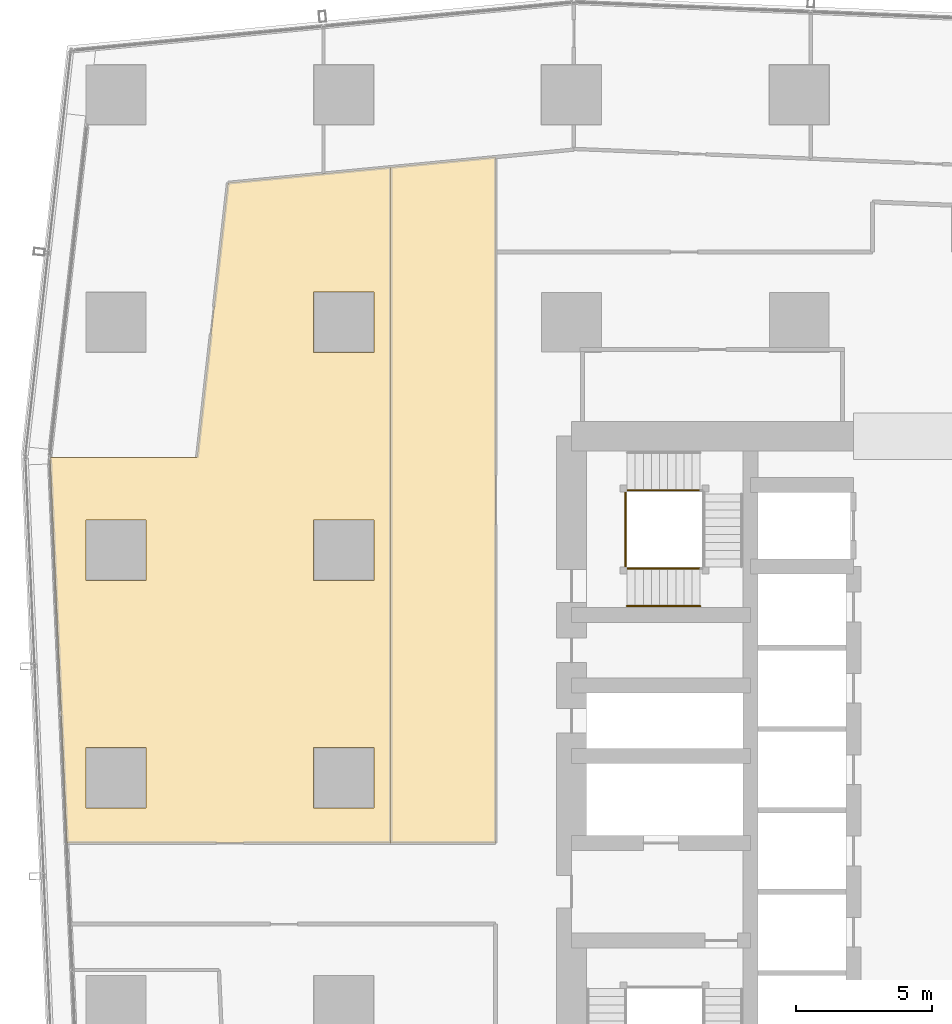
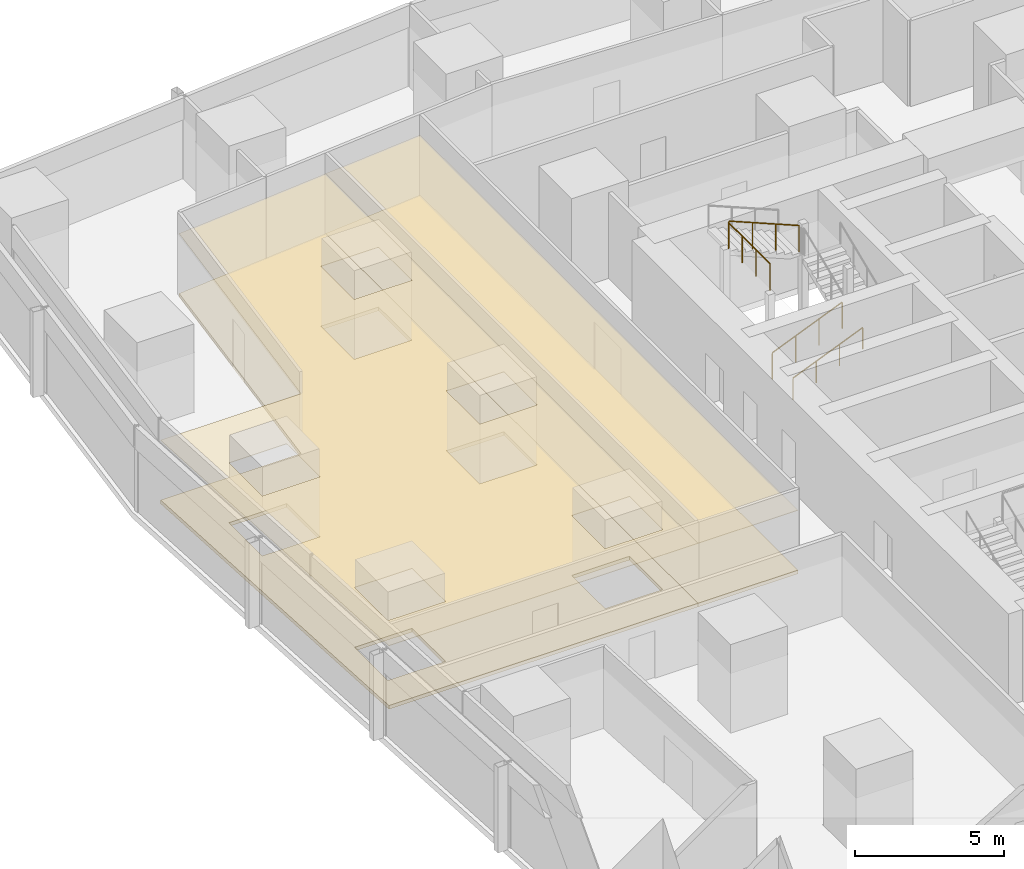
# One storey, part 40 of 44: 4 coverings, 4 railings.
"""IFC4 building model written with IfcOpenShell, lengths in metres."""

import ifcopenshell
import ifcopenshell.guid

model = None  # the IFC model being written
_history = None  # IfcOwnerHistory: only IFC2X3 demands one
_inside = {}  # id of a spatial element -> (the spatial element, [elements in it])
_under = {}  # id of a project, library or spatial element -> (it, [spatial elements below it])
_declared = {}  # id of a project -> (the project, [libraries it declares])
_typed = {}  # id of a type object -> (the type object, [elements of that type])
_made_of = {}  # id of a material, layer set ... -> (it, [elements and type objects made of it])


def new_model(schema):
    """Start an empty IFC model of exactly this schema.

    Asked for "IFC4X3", IfcOpenShell would pick the latest addendum, in which some entities
    have other attributes; the version numbers below select the first issue.
    IFC2X3 requires an IfcOwnerHistory on every rooted entity: one is made here for all.
    """
    global model, _history
    if schema == "IFC4X3":
        model = ifcopenshell.file(schema_version=(4, 3, 0, 0))
    else:
        model = ifcopenshell.file(schema=schema)
    _inside.clear()
    _under.clear()
    _declared.clear()
    _typed.clear()
    _made_of.clear()
    _history = None
    if model.schema == "IFC2X3":
        org = make("IfcOrganization", Name="unknown")
        user = make(
            "IfcPersonAndOrganization",
            ThePerson=make("IfcPerson", FamilyName="unknown"),
            TheOrganization=org,
        )
        app = make(
            "IfcApplication",
            ApplicationDeveloper=org,
            Version="unknown",
            ApplicationFullName="unknown",
            ApplicationIdentifier="unknown",
        )
        _history = make(
            "IfcOwnerHistory",
            OwningUser=user,
            OwningApplication=app,
            ChangeAction="ADDED",
            CreationDate=0,
        )
    return model


def make(cls, **values):
    """One entity of the class cls with the attributes given. An attribute that is None is left unset."""
    return model.create_entity(
        cls, **{name: value for name, value in values.items() if value is not None}
    )


def rooted(cls, **values):
    """An entity with a GlobalId (a new one), such as an element, a storey or a relation."""
    return make(cls, GlobalId=ifcopenshell.guid.new(), OwnerHistory=_history, **values)


def si_unit(unit_type, name, prefix=None):
    """IfcSIUnit, for example si_unit("LENGTHUNIT", "METRE", prefix="MILLI")."""
    return make("IfcSIUnit", UnitType=unit_type, Prefix=prefix, Name=name)


def assignment(units):
    """IfcUnitAssignment: the units of a project."""
    return None if units is None else make("IfcUnitAssignment", Units=units)


def point(xyz):
    """IfcCartesianPoint."""
    return None if xyz is None else make("IfcCartesianPoint", Coordinates=xyz)


def direction(xyz):
    """IfcDirection."""
    return None if xyz is None else make("IfcDirection", DirectionRatios=xyz)


def frame(location, z_axis=None, x_axis=None):
    """IfcAxis2Placement3D, a coordinate frame: its origin and axes. An axis left out is left unset."""
    return make(
        "IfcAxis2Placement3D",
        Location=point(location),
        Axis=direction(z_axis),
        RefDirection=direction(x_axis),
    )


def frame_2d(location, x_axis=None):
    """IfcAxis2Placement2D, a coordinate frame in the plane: its origin and x axis."""
    return make(
        "IfcAxis2Placement2D", Location=point(location), RefDirection=direction(x_axis)
    )


def origin():
    """The frame at (0, 0, 0) with its axes left unset."""
    return frame((0.0, 0.0, 0.0))


def origin_2d():
    """The frame at (0, 0) in the plane with its x axis left unset."""
    return frame_2d((0.0, 0.0))


def place(relative_to, where):
    """IfcLocalPlacement: puts the frame where relative to a parent placement (None: the world)."""
    return make(
        "IfcLocalPlacement", PlacementRelTo=relative_to, RelativePlacement=where
    )


def context(
    kind, dimensions, precision=None, world=None, true_north=None, identifier=None
):
    """IfcGeometricRepresentationContext, for example the 3D "Model" context."""
    return make(
        "IfcGeometricRepresentationContext",
        ContextIdentifier=identifier,
        ContextType=kind,
        CoordinateSpaceDimension=dimensions,
        Precision=precision,
        WorldCoordinateSystem=world,
        TrueNorth=true_north,
    )


def subcontext(parent, identifier, kind, view, scale=None):
    """IfcGeometricRepresentationSubContext, for example "Body" below "Model"."""
    return make(
        "IfcGeometricRepresentationSubContext",
        ContextIdentifier=identifier,
        ContextType=kind,
        ParentContext=parent,
        TargetScale=scale,
        TargetView=view,
    )


def project(units=None, contexts=None):
    """IfcProject with its units and contexts."""
    return rooted(
        "IfcProject",
        Name="project",
        RepresentationContexts=contexts,
        UnitsInContext=assignment(units),
    )


def spatial(cls, under=None, at=None, **own):
    """A site, building, storey or space (cls), placed at a placement, below another one or the project."""
    s = rooted(cls, ObjectPlacement=at, **own)
    if under is not None:
        _under.setdefault(under.id(), (under, []))[1].append(s)
    return s


def polyline(points):
    """IfcPolyline through the points."""
    return make("IfcPolyline", Points=[point(p) for p in points])


def profile(cls, at=None, kind="AREA", **sizes):
    """A parametric profile (cls). Its sizes go by their IFC names, for example OverallWidth=200.0."""
    return make(cls, ProfileType=kind, Position=at, **sizes)


def circle(**sizes):
    """IfcCircleProfileDef."""
    return profile("IfcCircleProfileDef", **sizes)


def outline(outer, holes=None, kind="AREA"):
    """IfcArbitraryClosedProfileDef: a profile drawn as a closed curve; with holes, ...WithVoids."""
    if holes is None:
        return make("IfcArbitraryClosedProfileDef", ProfileType=kind, OuterCurve=outer)
    return make(
        "IfcArbitraryProfileDefWithVoids",
        ProfileType=kind,
        OuterCurve=outer,
        InnerCurves=holes,
    )


def extrude(swept, where, along, depth):
    """IfcExtrudedAreaSolid: the profile swept, set in the frame where, extruded along a direction by depth."""
    return make(
        "IfcExtrudedAreaSolid",
        SweptArea=swept,
        Position=where,
        ExtrudedDirection=direction(along),
        Depth=depth,
    )


def shape(context_of_items, identifier, shape_type, items):
    """IfcShapeRepresentation: the items that make up one representation, for example the "Body"."""
    return make(
        "IfcShapeRepresentation",
        ContextOfItems=context_of_items,
        RepresentationIdentifier=identifier,
        RepresentationType=shape_type,
        Items=items,
    )


def material(Name=None, Category=None):
    """IfcMaterial."""
    return make("IfcMaterial", Name=Name, Category=Category)


def layer(
    of_material, thickness, ventilated=None, Name=None, Category=None, Priority=None
):
    """IfcMaterialLayer: one layer of a wall or slab, of a material (None: an air gap)."""
    return make(
        "IfcMaterialLayer",
        Material=of_material,
        LayerThickness=thickness,
        IsVentilated=ventilated,
        Name=Name,
        Category=Category,
        Priority=Priority,
    )


def layer_set(layers, Name=None):
    """IfcMaterialLayerSet."""
    return make("IfcMaterialLayerSet", MaterialLayers=layers, LayerSetName=Name)


def made_of(thing, what):
    """Note that an element or type object is made of a material, layer set ...; save() writes the relation."""
    if what is not None:
        _made_of.setdefault(what.id(), (what, []))[1].append(thing)
    return thing


def type_object(cls, material=None, **own):
    """A type object (cls), such as IfcWallType, which elements share."""
    return made_of(rooted(cls, **own), material)


def element(
    cls,
    number,
    at=None,
    inside=None,
    cuts=None,
    type_object=None,
    material=None,
    context=None,
    identifier="Body",
    shape_type=None,
    held_by="IfcProductDefinitionShape",
    body=None,
    shapes=None,
    **own,
):
    """One element of the class cls, such as IfcWall. Its Tag is "e" and its number.

    at: its placement. inside: the storey or other place that contains it. cuts: it is an
    opening in that element (IfcRelVoidsElement). A single representation is given by context,
    identifier, shape_type and body (its items); several are given by shapes. held_by: the class
    of the entity that holds the representations. save() writes the other relations.
    """
    e = rooted(cls, Tag="e%d" % number, ObjectPlacement=at, **own)
    if body is not None:
        shapes = [shape(context, identifier, shape_type, body)]
    if shapes is not None:
        e.Representation = make(held_by, Representations=shapes)
    if inside is not None:
        _inside.setdefault(inside.id(), (inside, []))[1].append(e)
    if cuts is not None:
        rooted(
            "IfcRelVoidsElement", RelatingBuildingElement=cuts, RelatedOpeningElement=e
        )
    if type_object is not None:
        _typed.setdefault(type_object.id(), (type_object, []))[1].append(e)
    return made_of(e, material)


def aggregate(whole, parts):
    """IfcRelAggregates: a whole, such as a stair, and the parts it consists of."""
    return rooted("IfcRelAggregates", RelatingObject=whole, RelatedObjects=parts)


def save(model, path):
    """Write the relations noted so far, then the file.

    IfcRelAggregates (storeys below a building ...), IfcRelContainedInSpatialStructure (elements
    in a storey), IfcRelDefinesByType, IfcRelAssociatesMaterial and IfcRelDeclares: one each for
    every whole, place, type object, material and project.
    """
    for whole, parts in _under.values():
        aggregate(whole, parts)
    for where, things in _inside.values():
        rooted(
            "IfcRelContainedInSpatialStructure",
            RelatedElements=things,
            RelatingStructure=where,
        )
    for kind, things in _typed.values():
        rooted("IfcRelDefinesByType", RelatedObjects=things, RelatingType=kind)
    for what, things in _made_of.values():
        rooted("IfcRelAssociatesMaterial", RelatedObjects=things, RelatingMaterial=what)
    for by, libraries in _declared.values():
        rooted("IfcRelDeclares", RelatingContext=by, RelatedDefinitions=libraries)
    model.write(path)


model = new_model("IFC4")

# Units and contexts
model_context = context("Model", 3, precision=1e-05, world=origin(), true_north=direction((0.0, 1.0)))
body_context = subcontext(model_context, "Body", "Model", "MODEL_VIEW")
ifc_project = project(units=[si_unit("LENGTHUNIT", "METRE"), si_unit("AREAUNIT", "SQUARE_METRE"), si_unit("VOLUMEUNIT", "CUBIC_METRE"), si_unit("PLANEANGLEUNIT", "RADIAN"), si_unit("MASSUNIT", "GRAM", prefix="KILO")], contexts=[model_context])

# Site, building, storey
site_placement = place(None, origin())
site = spatial("IfcSite", under=ifc_project, at=site_placement, CompositionType="ELEMENT")
building_placement = place(site_placement, origin())
building = spatial("IfcBuilding", under=site, at=building_placement, Name="Rekha Terrace Tower", CompositionType="ELEMENT")
storey_placement = place(building_placement, frame((0.0, 0.0, 66.64990234375)))
storey = spatial("IfcBuildingStorey", under=building, at=storey_placement, Name="L16", CompositionType="ELEMENT", Elevation=66.64990234375)

# Coverings
ifc_material_1 = material(Name="Mineral fibre tile in exposed grid", Category="finish")
ifc_layer_1 = layer(ifc_material_1, 0.02001953125)
ifc_layer_set_1 = layer_set([ifc_layer_1], Name="Mineral fibre tile in exposed grid")
covering_type_1 = type_object("IfcCoveringType", Name="CL1 600x1200 office grid ceiling", PredefinedType="CEILING", material=ifc_layer_set_1)
covering_1_placement = place(storey_placement, frame((0.0, 0.0, 2.580078125)))
element("IfcCovering", 1, at=covering_1_placement, inside=storey, type_object=covering_type_1, Name="Ceiling L16-18", PredefinedType="CEILING", context=body_context, shape_type="SweptSolid", body=[
    extrude(outline(polyline([(11.39306640625, 45.412109375), (5.964111328125, 45.412109375), (6.4208984375, 34.962890625), (6.4208984375, 34.9619140625), (6.5859375, 31.199951171875), (18.531982421875, 31.199951171875), (18.531982421875, 56.1220703125), (16.052978515625, 55.883056640625), (12.531982421875, 55.5439453125), (11.39306640625, 45.412109375)]), holes=[polyline([(17.9150390625, 32.485107421875), (15.68505859375, 32.485107421875), (15.68505859375, 34.715087890625), (17.9150390625, 34.715087890625), (17.9150390625, 32.485107421875)]), polyline([(17.9150390625, 40.885009765625), (15.68505859375, 40.885009765625), (15.68505859375, 43.114990234375), (17.9150390625, 43.114990234375), (17.9150390625, 40.885009765625)]), polyline([(17.9150390625, 49.284912109375), (15.68505859375, 49.284912109375), (15.68505859375, 51.514892578125), (17.9150390625, 51.514892578125), (17.9150390625, 49.284912109375)]), polyline([(9.514892578125, 32.485107421875), (7.284912109375, 32.485107421875), (7.284912109375, 34.715087890625), (9.514892578125, 34.715087890625), (9.514892578125, 32.485107421875)]), polyline([(9.514892578125, 40.885009765625), (7.284912109375, 40.885009765625), (7.284912109375, 43.114990234375), (9.514892578125, 43.114990234375), (9.514892578125, 40.885009765625)])]), origin(), (0.0, 0.0, 1.0), 0.02001953125),
])
covering_2_placement = place(storey_placement, frame((0.0, 0.0, 2.580078125)))
element("IfcCovering", 2, at=covering_2_placement, inside=storey, type_object=covering_type_1, Name="Ceiling L16-19", PredefinedType="CEILING", context=body_context, shape_type="SweptSolid", body=[
    extrude(outline(polyline([(18.531982421875, 31.199951171875), (22.39990234375, 31.199951171875), (22.39990234375, 56.493896484375), (18.531982421875, 56.1220703125), (18.531982421875, 31.199951171875)])), origin(), (0.0, 0.0, 1.0), 0.02001953125),
])

# Railings
ifc_material_2 = material(Name="Stainless steel balustrade", Category="steel")
railing_type_1 = type_object("IfcRailingType", Name="GR1 1100 stair guard", PredefinedType="GUARDRAIL", material=ifc_material_2)
railing_1_placement = place(storey_placement, frame((27.25, 41.31494140625, 0.125)))
element("IfcRailing", 3, at=railing_1_placement, inside=storey, type_object=railing_type_1, Name="Guard ST4 L16 flight 1", PredefinedType="GUARDRAIL", context=body_context, shape_type="SweptSolid", body=[
    extrude(circle(Radius=0.02392578125, at=origin_2d()), frame((0.0, 0.0, 1.076171875), z_axis=(0.923074453586, 0.0, 0.384621311341), x_axis=(0.0, 1.0, 0.0)), (0.0, 0.0, 1.0), 2.925048828125),
    extrude(circle(Radius=0.02099609375, at=origin_2d()), origin(), (0.0, 0.0, 1.0), 1.052001953125),
    extrude(circle(Radius=0.02099609375, at=origin_2d()), frame((0.89990234375, 0.0, 0.375)), (0.0, 0.0, 1.0), 1.052001953125),
    extrude(circle(Radius=0.02099609375, at=origin_2d()), frame((1.800048828125, 0.0, 0.75)), (0.0, 0.0, 1.0), 1.052001953125),
    extrude(circle(Radius=0.02099609375, at=origin_2d()), frame((2.699951171875, 0.0, 1.125)), (0.0, 0.0, 1.0), 1.052001953125),
])
railing_2_placement = place(storey_placement, frame((29.949951171875, 44.2099609375, 2.625)))
element("IfcRailing", 4, at=railing_2_placement, inside=storey, type_object=railing_type_1, Name="Guard ST4 L16 flight 3", PredefinedType="GUARDRAIL", context=body_context, shape_type="SweptSolid", body=[
    extrude(circle(Radius=0.02392578125, at=origin_2d()), frame((0.0, 0.0, 1.076171875), z_axis=(-0.923074453586, 0.0, 0.384621311341), x_axis=(0.0, -1.0, 0.0)), (0.0, 0.0, 1.0), 2.925048828125),
    extrude(circle(Radius=0.02099609375, at=origin_2d()), origin(), (0.0, 0.0, 1.0), 1.052001953125),
    extrude(circle(Radius=0.02099609375, at=origin_2d()), frame((-0.89990234375, 0.0, 0.375)), (0.0, 0.0, 1.0), 1.052001953125),
    extrude(circle(Radius=0.02099609375, at=origin_2d()), frame((-1.800048828125, 0.0, 0.75)), (0.0, 0.0, 1.0), 1.052001953125),
    extrude(circle(Radius=0.02099609375, at=origin_2d()), frame((-2.699951171875, 0.0, 1.125)), (0.0, 0.0, 1.0), 1.052001953125),
])
railing_3_placement = place(storey_placement, frame((27.18994140625, 41.375, 3.75)))
element("IfcRailing", 5, at=railing_3_placement, inside=storey, type_object=railing_type_1, Name="Guard ST4 L16 landing 4", PredefinedType="GUARDRAIL", context=body_context, shape_type="SweptSolid", body=[
    extrude(circle(Radius=0.02392578125, at=origin_2d()), frame((0.0, 0.0, 1.076171875), z_axis=(0.0, 1.0, 0.0), x_axis=(-1.0, 0.0, 0.0)), (0.0, 0.0, 1.0), 2.77490234375),
    extrude(circle(Radius=0.02099609375, at=origin_2d()), origin(), (0.0, 0.0, 1.0), 1.052001953125),
    extrude(circle(Radius=0.02099609375, at=origin_2d()), frame((0.0, 0.925048828125, 0.0)), (0.0, 0.0, 1.0), 1.052001953125),
    extrude(circle(Radius=0.02099609375, at=origin_2d()), frame((0.0, 1.849853515625, 0.0)), (0.0, 0.0, 1.0), 1.052001953125),
    extrude(circle(Radius=0.02099609375, at=origin_2d()), frame((0.0, 2.77490234375, 0.0)), (0.0, 0.0, 1.0), 1.052001953125),
])
ifc_material_3 = material(Name="Stainless steel tube", Category="steel")
railing_type_2 = type_object("IfcRailingType", Name="HR1 900 stair handrail", PredefinedType="HANDRAIL", material=ifc_material_3)
railing_4_placement = place(storey_placement, frame((27.25, 39.93505859375, 0.125)))
element("IfcRailing", 6, at=railing_4_placement, inside=storey, type_object=railing_type_2, Name="Handrail ST4 L16 flight 1", PredefinedType="HANDRAIL", context=body_context, shape_type="SweptSolid", body=[
    extrude(circle(Radius=0.02392578125, at=origin_2d()), frame((0.0, 0.0, 0.8759765625), z_axis=(0.923074453586, 0.0, 0.384621311341), x_axis=(0.0, 1.0, 0.0)), (0.0, 0.0, 1.0), 2.925048828125),
    extrude(circle(Radius=0.02099609375, at=origin_2d()), origin(), (0.0, 0.0, 1.0), 0.851806640625),
    extrude(circle(Radius=0.02099609375, at=origin_2d()), frame((0.89990234375, 0.0, 0.375)), (0.0, 0.0, 1.0), 0.851806640625),
    extrude(circle(Radius=0.02099609375, at=origin_2d()), frame((1.800048828125, 0.0, 0.75)), (0.0, 0.0, 1.0), 0.851806640625),
    extrude(circle(Radius=0.02099609375, at=origin_2d()), frame((2.699951171875, 0.0, 1.125)), (0.0, 0.0, 1.0), 0.851806640625),
])

# Coverings
ifc_material_4 = material(Name="Calcium sulphate panels on steel pedestals", Category="steel")
ifc_layer_2 = layer(ifc_material_4, 0.14990234375)
ifc_layer_set_2 = layer_set([ifc_layer_2], Name="Calcium sulphate panels on steel pedestals")
covering_type_2 = type_object("IfcCoveringType", Name="RF1 150 raised access floor", PredefinedType="FLOORING", material=ifc_layer_set_2)
covering_3_placement = place(storey_placement, origin())
element("IfcCovering", 7, at=covering_3_placement, inside=storey, type_object=covering_type_2, Name="Raised floor L16-18", PredefinedType="FLOORING", context=body_context, shape_type="SweptSolid", body=[
    extrude(outline(polyline([(11.39306640625, 45.412109375), (5.964111328125, 45.412109375), (6.4208984375, 34.962890625), (6.4208984375, 34.9619140625), (6.5859375, 31.199951171875), (18.531982421875, 31.199951171875), (18.531982421875, 56.1220703125), (16.052978515625, 55.883056640625), (12.531982421875, 55.5439453125), (11.39306640625, 45.412109375)]), holes=[polyline([(17.9150390625, 32.485107421875), (15.68505859375, 32.485107421875), (15.68505859375, 34.715087890625), (17.9150390625, 34.715087890625), (17.9150390625, 32.485107421875)]), polyline([(17.9150390625, 40.885009765625), (15.68505859375, 40.885009765625), (15.68505859375, 43.114990234375), (17.9150390625, 43.114990234375), (17.9150390625, 40.885009765625)]), polyline([(17.9150390625, 49.284912109375), (15.68505859375, 49.284912109375), (15.68505859375, 51.514892578125), (17.9150390625, 51.514892578125), (17.9150390625, 49.284912109375)]), polyline([(9.514892578125, 32.485107421875), (7.284912109375, 32.485107421875), (7.284912109375, 34.715087890625), (9.514892578125, 34.715087890625), (9.514892578125, 32.485107421875)]), polyline([(9.514892578125, 40.885009765625), (7.284912109375, 40.885009765625), (7.284912109375, 43.114990234375), (9.514892578125, 43.114990234375), (9.514892578125, 40.885009765625)])]), origin(), (0.0, 0.0, 1.0), 0.150146484375),
])
covering_4_placement = place(storey_placement, origin())
element("IfcCovering", 8, at=covering_4_placement, inside=storey, type_object=covering_type_2, Name="Raised floor L16-19", PredefinedType="FLOORING", context=body_context, shape_type="SweptSolid", body=[
    extrude(outline(polyline([(18.531982421875, 31.199951171875), (22.39990234375, 31.199951171875), (22.39990234375, 56.493896484375), (18.531982421875, 56.1220703125), (18.531982421875, 31.199951171875)])), origin(), (0.0, 0.0, 1.0), 0.150146484375),
])

save(model, "model.ifc")
